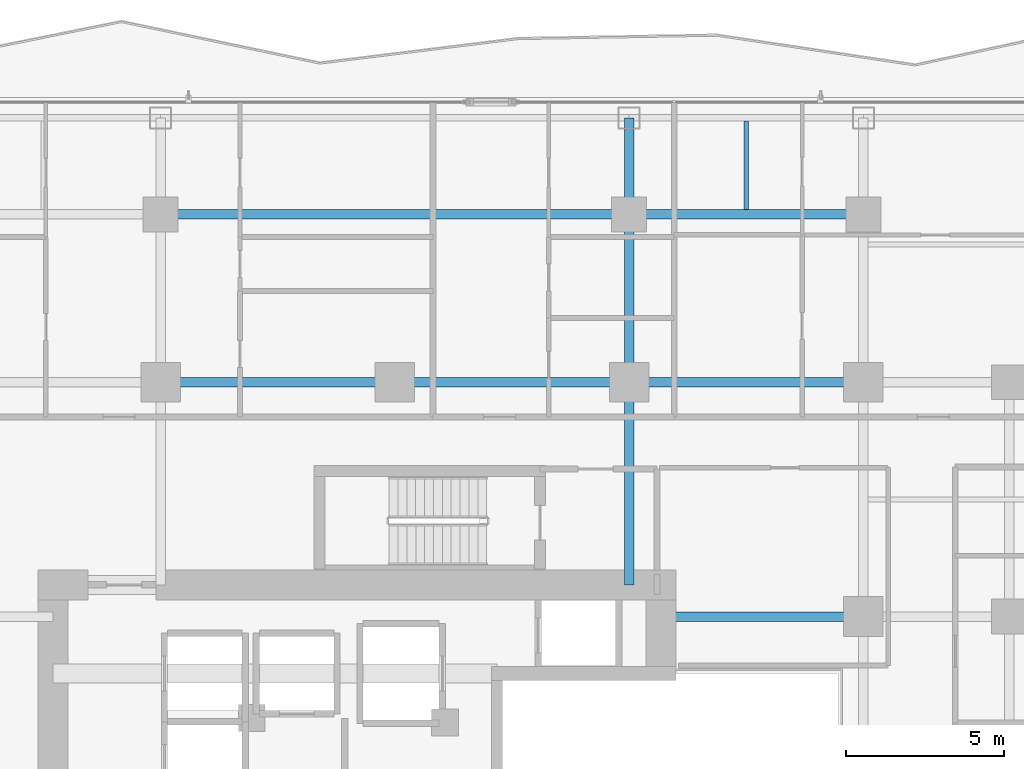
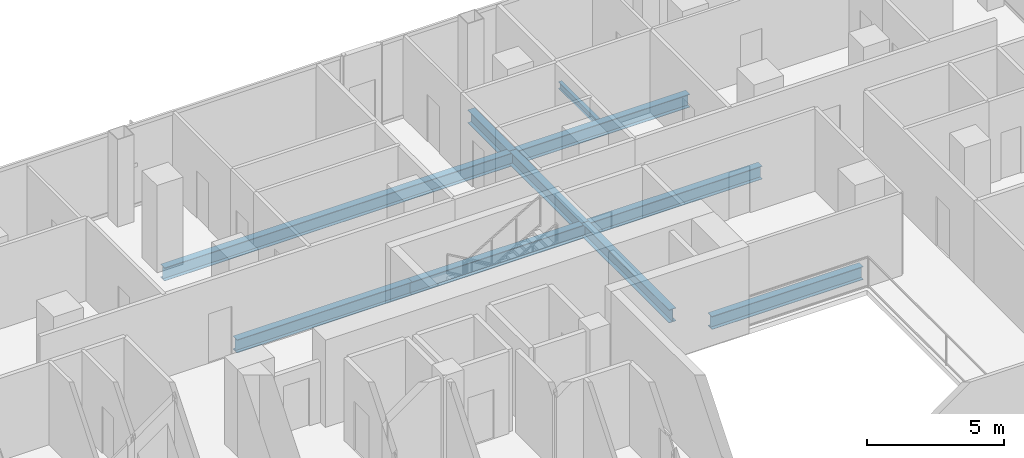
# One storey, part 10 of 29: 10 beams.
"""IFC4 building model written with IfcOpenShell, lengths in metres."""

from ifc_helpers import new_model, si_unit, direction, frame, origin, origin_2d, place, context, subcontext, project, spatial, i_section, extrude, material, material_profile, profile_set, type_object, element, save


model = new_model("IFC4")

# Units and contexts
model_context = context("Model", 3, precision=1e-05, world=origin(), true_north=direction((0.0, 1.0)))
body_context = subcontext(model_context, "Body", "Model", "MODEL_VIEW")
ifc_project = project(units=[si_unit("LENGTHUNIT", "METRE"), si_unit("AREAUNIT", "SQUARE_METRE"), si_unit("VOLUMEUNIT", "CUBIC_METRE"), si_unit("PLANEANGLEUNIT", "RADIAN"), si_unit("MASSUNIT", "GRAM", prefix="KILO")], contexts=[model_context])

# Site, building, storey
site_placement = place(None, origin())
site = spatial("IfcSite", under=ifc_project, at=site_placement, CompositionType="ELEMENT")
building_placement = place(site_placement, origin())
building = spatial("IfcBuilding", under=site, at=building_placement, Name="Khorvyn Point Tower", CompositionType="ELEMENT")
storey_placement = place(building_placement, frame((0.0, 0.0, 144.60009765625)))
storey = spatial("IfcBuildingStorey", under=building, at=storey_placement, Name="L36", CompositionType="ELEMENT", Elevation=144.60009765625)

# Beams
ifc_material = material(Name="Steel S355", Category="steel")
ifc_material_profile_1 = material_profile(ifc_material, i_section(OverallWidth=0.300048828125, OverallDepth=0.587890625, WebThickness=0.011962890625, FlangeThickness=0.02001953125, at=origin_2d()))
ifc_profile_set_1 = profile_set([ifc_material_profile_1], Name="Steel S355 H588x300x12x20")
beam_type_1 = type_object("IfcBeamType", Name="Steel S355 Beam H588x300x12x20", PredefinedType="BEAM", material=ifc_profile_set_1)
for number, where, z_axis, x_axis, name in (
    (1, (-7.39990234375, 14.800048828125, -0.51416015625), (1.0, 0.0, 0.0), (0.0, 1.0, 0.0), "Beam"),
    (2, (0.0, 14.800048828125, -0.51416015625), (1.0, 0.0, 0.0), (0.0, 1.0, 0.0), "Beam"),
):
    element("IfcBeam", number, at=place(storey_placement, frame(where, z_axis=z_axis, x_axis=x_axis)), inside=storey, type_object=beam_type_1, Name=name, PredefinedType="BEAM", context=body_context, shape_type="SweptSolid", body=[
        extrude(i_section(OverallWidth=0.300048828125, OverallDepth=0.587890625, WebThickness=0.011962890625, FlangeThickness=0.02001953125, at=origin_2d()), origin(), (0.0, 0.0, 1.0), 7.39990234375),
    ])
beam_1_placement = place(storey_placement, frame((7.39990234375, 14.800048828125, -0.51416015625), z_axis=(1.0, 0.0, 0.0), x_axis=(0.0, 1.0, 0.0)))
element("IfcBeam", 3, at=beam_1_placement, inside=storey, type_object=beam_type_1, Name="Beam", PredefinedType="BEAM", context=body_context, shape_type="SweptSolid", body=[
    extrude(i_section(OverallWidth=0.300048828125, OverallDepth=0.587890625, WebThickness=0.011962890625, FlangeThickness=0.02001953125, at=origin_2d()), origin(), (0.0, 0.0, 1.0), 7.400146484375),
])
beam_2_placement = place(storey_placement, frame((8.39990234375, 7.39990234375, -0.51416015625), z_axis=(1.0, 0.0, 0.0), x_axis=(0.0, 1.0, 0.0)))
element("IfcBeam", 4, at=beam_2_placement, inside=storey, type_object=beam_type_1, Name="Beam", PredefinedType="BEAM", context=body_context, shape_type="SweptSolid", body=[
    extrude(i_section(OverallWidth=0.300048828125, OverallDepth=0.587890625, WebThickness=0.011962890625, FlangeThickness=0.02001953125, at=origin_2d()), origin(), (0.0, 0.0, 1.0), 6.400146484375),
])
beam_3_placement = place(storey_placement, frame((-7.39990234375, 20.10009765625, -0.51416015625), z_axis=(1.0, 0.0, 0.0), x_axis=(0.0, 1.0, 0.0)))
element("IfcBeam", 5, at=beam_3_placement, inside=storey, type_object=beam_type_1, Name="Beam", PredefinedType="BEAM", context=body_context, shape_type="SweptSolid", body=[
    extrude(i_section(OverallWidth=0.300048828125, OverallDepth=0.587890625, WebThickness=0.011962890625, FlangeThickness=0.02001953125, at=origin_2d()), origin(), (0.0, 0.0, 1.0), 14.7998046875),
])
beam_4_placement = place(storey_placement, frame((7.39990234375, 20.10009765625, -0.51416015625), z_axis=(1.0, 0.0, 0.0), x_axis=(0.0, 1.0, 0.0)))
element("IfcBeam", 6, at=beam_4_placement, inside=storey, type_object=beam_type_1, Name="Beam", PredefinedType="BEAM", context=body_context, shape_type="SweptSolid", body=[
    extrude(i_section(OverallWidth=0.300048828125, OverallDepth=0.587890625, WebThickness=0.011962890625, FlangeThickness=0.02001953125, at=origin_2d()), origin(), (0.0, 0.0, 1.0), 7.400146484375),
])
beam_5_placement = place(storey_placement, frame((7.39990234375, 8.39990234375, -0.51416015625), z_axis=(0.0, 1.0, 0.0), x_axis=(-1.0, 0.0, 0.0)))
element("IfcBeam", 7, at=beam_5_placement, inside=storey, type_object=beam_type_1, Name="Beam", PredefinedType="BEAM", context=body_context, shape_type="SweptSolid", body=[
    extrude(i_section(OverallWidth=0.300048828125, OverallDepth=0.587890625, WebThickness=0.011962890625, FlangeThickness=0.02001953125, at=origin_2d()), origin(), (0.0, 0.0, 1.0), 6.400146484375),
])
beam_6_placement = place(storey_placement, frame((7.39990234375, 14.800048828125, -0.51416015625), z_axis=(0.0, 1.0, 0.0), x_axis=(-1.0, 0.0, 0.0)))
element("IfcBeam", 8, at=beam_6_placement, inside=storey, type_object=beam_type_1, Name="Beam", PredefinedType="BEAM", context=body_context, shape_type="SweptSolid", body=[
    extrude(i_section(OverallWidth=0.300048828125, OverallDepth=0.587890625, WebThickness=0.011962890625, FlangeThickness=0.02001953125, at=origin_2d()), origin(), (0.0, 0.0, 1.0), 5.300048828125),
])
beam_7_placement = place(storey_placement, frame((7.39990234375, 20.10009765625, -0.51416015625), z_axis=(0.0, 1.0, 0.0), x_axis=(-1.0, 0.0, 0.0)))
element("IfcBeam", 9, at=beam_7_placement, inside=storey, type_object=beam_type_1, Name="Beam", PredefinedType="BEAM", context=body_context, shape_type="SweptSolid", body=[
    extrude(i_section(OverallWidth=0.300048828125, OverallDepth=0.587890625, WebThickness=0.011962890625, FlangeThickness=0.02001953125, at=origin_2d()), origin(), (0.0, 0.0, 1.0), 3.0498046875),
])
ifc_material_profile_2 = material_profile(ifc_material, i_section(OverallWidth=0.14990234375, OverallDepth=0.300048828125, WebThickness=0.006591796875, FlangeThickness=0.009033203125, at=origin_2d()))
ifc_profile_set_2 = profile_set([ifc_material_profile_2], Name="Steel S355 H300x150x6.5x9")
beam_type_2 = type_object("IfcBeamType", Name="Steel S355 Joist H300x150x6.5x9", PredefinedType="JOIST", material=ifc_profile_set_2)
beam_8_placement = place(storey_placement, frame((11.10009765625, 20.25, -0.3701171875), z_axis=(0.0, 1.0, 0.0), x_axis=(-1.0, 0.0, 0.0)))
element("IfcBeam", 10, at=beam_8_placement, inside=storey, type_object=beam_type_2, Name="Beam", PredefinedType="JOIST", context=body_context, shape_type="SweptSolid", body=[
    extrude(i_section(OverallWidth=0.14990234375, OverallDepth=0.300048828125, WebThickness=0.006591796875, FlangeThickness=0.009033203125, at=origin_2d()), origin(), (0.0, 0.0, 1.0), 2.800048828125),
])

save(model, "model.ifc")
